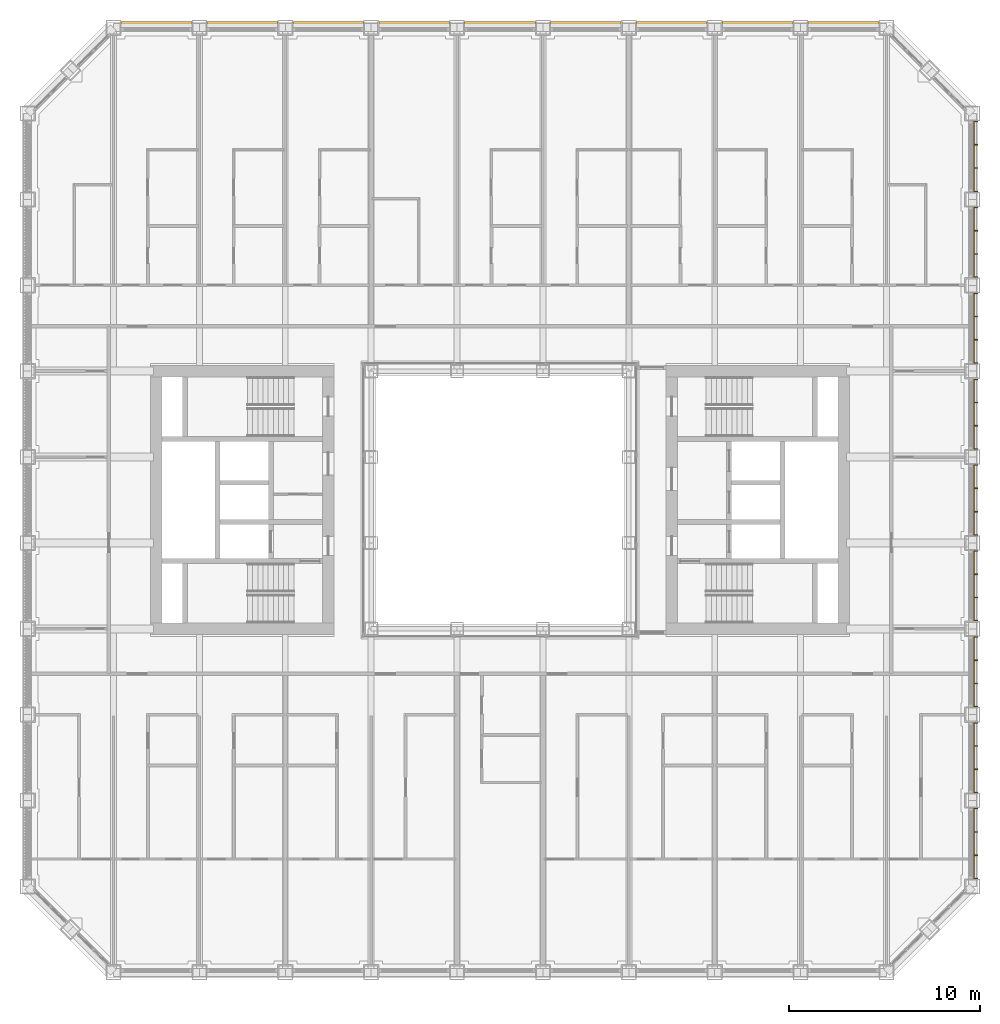
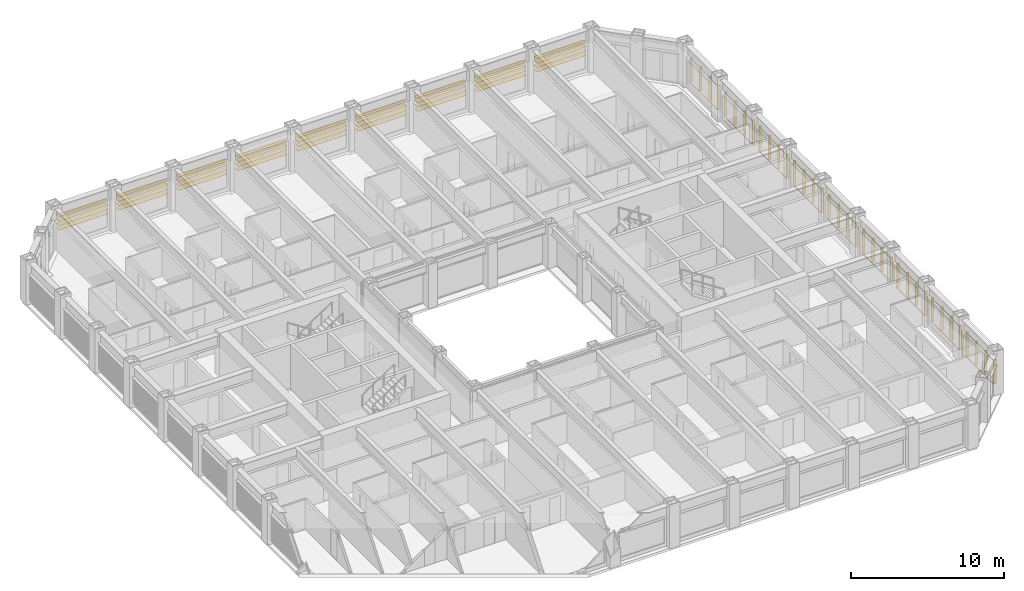
# One storey, part 21 of 21: 2 shading devices.
"""IFC4 building model written with IfcOpenShell, lengths in metres."""

from ifc_helpers import new_model, si_unit, direction, frame, origin, origin_2d, place, context, subcontext, project, spatial, rectangle, extrude, material, type_object, element, save


model = new_model("IFC4")

# Units and contexts
model_context = context("Model", 3, precision=1e-05, world=origin(), true_north=direction((0.0, 1.0)))
body_context = subcontext(model_context, "Body", "Model", "MODEL_VIEW")
ifc_project = project(units=[si_unit("LENGTHUNIT", "METRE"), si_unit("AREAUNIT", "SQUARE_METRE"), si_unit("VOLUMEUNIT", "CUBIC_METRE"), si_unit("PLANEANGLEUNIT", "RADIAN"), si_unit("MASSUNIT", "GRAM", prefix="KILO")], contexts=[model_context])

# Site, building, storey
site_placement = place(None, origin())
site = spatial("IfcSite", under=ifc_project, at=site_placement, CompositionType="ELEMENT")
building_placement = place(site_placement, origin())
building = spatial("IfcBuilding", under=site, at=building_placement, Name="Msasa Ring Tower", CompositionType="ELEMENT")
storey_placement = place(building_placement, frame((0.0, 0.0, 72.0)))
storey = spatial("IfcBuildingStorey", under=building, at=storey_placement, Name="L18", CompositionType="ELEMENT", Elevation=72.0)

# Shading devices
ifc_material_1 = material(Name="Extruded terracotta on aluminium carriers", Category="masonry")
shading_device_type_1 = type_object("IfcShadingDeviceType", Name="BS2 TERRACOTTA FIN SCREEN 40x200 AT 1350", PredefinedType="USERDEFINED", material=ifc_material_1)
shading_device_1_placement = place(storey_placement, origin())
element("IfcShadingDevice", 1, at=shading_device_1_placement, inside=storey, type_object=shading_device_type_1, Name="Terracotta fin screen E L18", ObjectType="BAGUETTE", PredefinedType="USERDEFINED", context=body_context, shape_type="SweptSolid", body=[
    extrude(rectangle(XDim=0.06005859375, YDim=0.0400390625, at=origin_2d()), frame((24.830078125, -19.85009765625, 0.330078125), z_axis=(0.0, 1.0, 0.0), x_axis=(0.0, 0.0, 1.0)), (0.0, 0.0, 1.0), 3.699951171875),
    extrude(rectangle(XDim=0.06005859375, YDim=0.0400390625, at=origin_2d()), frame((24.830078125, -19.85009765625, 2.198974609375), z_axis=(0.0, 1.0, 0.0), x_axis=(0.0, 0.0, 1.0)), (0.0, 0.0, 1.0), 3.699951171875),
    extrude(rectangle(XDim=0.0400390625, YDim=0.199951171875, at=origin_2d()), frame((24.945068359375, -19.830078125, 0.300048828125), z_axis=(0.0, 0.0, 1.0), x_axis=(0.0, 1.0, 0.0)), (0.0, 0.0, 1.0), 1.928955078125),
    extrude(rectangle(XDim=0.0400390625, YDim=0.199951171875, at=origin_2d()), frame((24.945068359375, -18.610107421875, 0.300048828125), z_axis=(0.0, 0.0, 1.0), x_axis=(0.0, 1.0, 0.0)), (0.0, 0.0, 1.0), 1.928955078125),
    extrude(rectangle(XDim=0.0400390625, YDim=0.199951171875, at=origin_2d()), frame((24.945068359375, -17.389892578125, 0.300048828125), z_axis=(0.0, 0.0, 1.0), x_axis=(0.0, 1.0, 0.0)), (0.0, 0.0, 1.0), 1.928955078125),
    extrude(rectangle(XDim=0.0400390625, YDim=0.199951171875, at=origin_2d()), frame((24.945068359375, -16.169921875, 0.300048828125), z_axis=(0.0, 0.0, 1.0), x_axis=(0.0, 1.0, 0.0)), (0.0, 0.0, 1.0), 1.928955078125),
    extrude(rectangle(XDim=0.06005859375, YDim=0.0400390625, at=origin_2d()), frame((24.830078125, -15.35009765625, 0.330078125), z_axis=(0.0, 1.0, 0.0), x_axis=(0.0, 0.0, 1.0)), (0.0, 0.0, 1.0), 3.699951171875),
    extrude(rectangle(XDim=0.06005859375, YDim=0.0400390625, at=origin_2d()), frame((24.830078125, -15.35009765625, 2.198974609375), z_axis=(0.0, 1.0, 0.0), x_axis=(0.0, 0.0, 1.0)), (0.0, 0.0, 1.0), 3.699951171875),
    extrude(rectangle(XDim=0.0400390625, YDim=0.199951171875, at=origin_2d()), frame((24.945068359375, -15.330078125, 0.300048828125), z_axis=(0.0, 0.0, 1.0), x_axis=(0.0, 1.0, 0.0)), (0.0, 0.0, 1.0), 1.928955078125),
    extrude(rectangle(XDim=0.0400390625, YDim=0.199951171875, at=origin_2d()), frame((24.945068359375, -14.110107421875, 0.300048828125), z_axis=(0.0, 0.0, 1.0), x_axis=(0.0, 1.0, 0.0)), (0.0, 0.0, 1.0), 1.928955078125),
    extrude(rectangle(XDim=0.0400390625, YDim=0.199951171875, at=origin_2d()), frame((24.945068359375, -12.889892578125, 0.300048828125), z_axis=(0.0, 0.0, 1.0), x_axis=(0.0, 1.0, 0.0)), (0.0, 0.0, 1.0), 1.928955078125),
    extrude(rectangle(XDim=0.0400390625, YDim=0.199951171875, at=origin_2d()), frame((24.945068359375, -11.669921875, 0.300048828125), z_axis=(0.0, 0.0, 1.0), x_axis=(0.0, 1.0, 0.0)), (0.0, 0.0, 1.0), 1.928955078125),
    extrude(rectangle(XDim=0.06005859375, YDim=0.0400390625, at=origin_2d()), frame((24.830078125, -10.85009765625, 0.330078125), z_axis=(0.0, 1.0, 0.0), x_axis=(0.0, 0.0, 1.0)), (0.0, 0.0, 1.0), 3.699951171875),
    extrude(rectangle(XDim=0.06005859375, YDim=0.0400390625, at=origin_2d()), frame((24.830078125, -10.85009765625, 2.198974609375), z_axis=(0.0, 1.0, 0.0), x_axis=(0.0, 0.0, 1.0)), (0.0, 0.0, 1.0), 3.699951171875),
    extrude(rectangle(XDim=0.0400390625, YDim=0.199951171875, at=origin_2d()), frame((24.945068359375, -10.830078125, 0.300048828125), z_axis=(0.0, 0.0, 1.0), x_axis=(0.0, 1.0, 0.0)), (0.0, 0.0, 1.0), 1.928955078125),
    extrude(rectangle(XDim=0.0400390625, YDim=0.199951171875, at=origin_2d()), frame((24.945068359375, -9.610107421875, 0.300048828125), z_axis=(0.0, 0.0, 1.0), x_axis=(0.0, 1.0, 0.0)), (0.0, 0.0, 1.0), 1.928955078125),
    extrude(rectangle(XDim=0.0400390625, YDim=0.199951171875, at=origin_2d()), frame((24.945068359375, -8.389892578125, 0.300048828125), z_axis=(0.0, 0.0, 1.0), x_axis=(0.0, 1.0, 0.0)), (0.0, 0.0, 1.0), 1.928955078125),
    extrude(rectangle(XDim=0.0400390625, YDim=0.199951171875, at=origin_2d()), frame((24.945068359375, -7.169921875, 0.300048828125), z_axis=(0.0, 0.0, 1.0), x_axis=(0.0, 1.0, 0.0)), (0.0, 0.0, 1.0), 1.928955078125),
    extrude(rectangle(XDim=0.06005859375, YDim=0.0400390625, at=origin_2d()), frame((24.830078125, -6.35009765625, 0.330078125), z_axis=(0.0, 1.0, 0.0), x_axis=(0.0, 0.0, 1.0)), (0.0, 0.0, 1.0), 3.699951171875),
    extrude(rectangle(XDim=0.06005859375, YDim=0.0400390625, at=origin_2d()), frame((24.830078125, -6.35009765625, 2.198974609375), z_axis=(0.0, 1.0, 0.0), x_axis=(0.0, 0.0, 1.0)), (0.0, 0.0, 1.0), 3.699951171875),
    extrude(rectangle(XDim=0.0400390625, YDim=0.199951171875, at=origin_2d()), frame((24.945068359375, -6.330078125, 0.300048828125), z_axis=(0.0, 0.0, 1.0), x_axis=(0.0, 1.0, 0.0)), (0.0, 0.0, 1.0), 1.928955078125),
    extrude(rectangle(XDim=0.0400390625, YDim=0.199951171875, at=origin_2d()), frame((24.945068359375, -5.110107421875, 0.300048828125), z_axis=(0.0, 0.0, 1.0), x_axis=(0.0, 1.0, 0.0)), (0.0, 0.0, 1.0), 1.928955078125),
    extrude(rectangle(XDim=0.0400390625, YDim=0.199951171875, at=origin_2d()), frame((24.945068359375, -3.889892578125, 0.300048828125), z_axis=(0.0, 0.0, 1.0), x_axis=(0.0, 1.0, 0.0)), (0.0, 0.0, 1.0), 1.928955078125),
    extrude(rectangle(XDim=0.0400390625, YDim=0.199951171875, at=origin_2d()), frame((24.945068359375, -2.669921875, 0.300048828125), z_axis=(0.0, 0.0, 1.0), x_axis=(0.0, 1.0, 0.0)), (0.0, 0.0, 1.0), 1.928955078125),
    extrude(rectangle(XDim=0.06005859375, YDim=0.0400390625, at=origin_2d()), frame((24.830078125, -1.85009765625, 0.330078125), z_axis=(0.0, 1.0, 0.0), x_axis=(0.0, 0.0, 1.0)), (0.0, 0.0, 1.0), 3.699951171875),
    extrude(rectangle(XDim=0.06005859375, YDim=0.0400390625, at=origin_2d()), frame((24.830078125, -1.85009765625, 2.198974609375), z_axis=(0.0, 1.0, 0.0), x_axis=(0.0, 0.0, 1.0)), (0.0, 0.0, 1.0), 3.699951171875),
    extrude(rectangle(XDim=0.0400390625, YDim=0.199951171875, at=origin_2d()), frame((24.945068359375, -1.830078125, 0.300048828125), z_axis=(0.0, 0.0, 1.0), x_axis=(0.0, 1.0, 0.0)), (0.0, 0.0, 1.0), 1.928955078125),
    extrude(rectangle(XDim=0.0400390625, YDim=0.199951171875, at=origin_2d()), frame((24.945068359375, -0.610107421875, 0.300048828125), z_axis=(0.0, 0.0, 1.0), x_axis=(0.0, 1.0, 0.0)), (0.0, 0.0, 1.0), 1.928955078125),
    extrude(rectangle(XDim=0.0400390625, YDim=0.199951171875, at=origin_2d()), frame((24.945068359375, 0.610107421875, 0.300048828125), z_axis=(0.0, 0.0, 1.0), x_axis=(0.0, 1.0, 0.0)), (0.0, 0.0, 1.0), 1.928955078125),
    extrude(rectangle(XDim=0.0400390625, YDim=0.199951171875, at=origin_2d()), frame((24.945068359375, 1.830078125, 0.300048828125), z_axis=(0.0, 0.0, 1.0), x_axis=(0.0, 1.0, 0.0)), (0.0, 0.0, 1.0), 1.928955078125),
    extrude(rectangle(XDim=0.06005859375, YDim=0.0400390625, at=origin_2d()), frame((24.830078125, 2.64990234375, 0.330078125), z_axis=(0.0, 1.0, 0.0), x_axis=(0.0, 0.0, 1.0)), (0.0, 0.0, 1.0), 3.699951171875),
    extrude(rectangle(XDim=0.06005859375, YDim=0.0400390625, at=origin_2d()), frame((24.830078125, 2.64990234375, 2.198974609375), z_axis=(0.0, 1.0, 0.0), x_axis=(0.0, 0.0, 1.0)), (0.0, 0.0, 1.0), 3.699951171875),
    extrude(rectangle(XDim=0.0400390625, YDim=0.199951171875, at=origin_2d()), frame((24.945068359375, 2.669921875, 0.300048828125), z_axis=(0.0, 0.0, 1.0), x_axis=(0.0, 1.0, 0.0)), (0.0, 0.0, 1.0), 1.928955078125),
    extrude(rectangle(XDim=0.0400390625, YDim=0.199951171875, at=origin_2d()), frame((24.945068359375, 3.889892578125, 0.300048828125), z_axis=(0.0, 0.0, 1.0), x_axis=(0.0, 1.0, 0.0)), (0.0, 0.0, 1.0), 1.928955078125),
    extrude(rectangle(XDim=0.0400390625, YDim=0.199951171875, at=origin_2d()), frame((24.945068359375, 5.110107421875, 0.300048828125), z_axis=(0.0, 0.0, 1.0), x_axis=(0.0, 1.0, 0.0)), (0.0, 0.0, 1.0), 1.928955078125),
    extrude(rectangle(XDim=0.0400390625, YDim=0.199951171875, at=origin_2d()), frame((24.945068359375, 6.330078125, 0.300048828125), z_axis=(0.0, 0.0, 1.0), x_axis=(0.0, 1.0, 0.0)), (0.0, 0.0, 1.0), 1.928955078125),
    extrude(rectangle(XDim=0.06005859375, YDim=0.0400390625, at=origin_2d()), frame((24.830078125, 7.14990234375, 0.330078125), z_axis=(0.0, 1.0, 0.0), x_axis=(0.0, 0.0, 1.0)), (0.0, 0.0, 1.0), 3.699951171875),
    extrude(rectangle(XDim=0.06005859375, YDim=0.0400390625, at=origin_2d()), frame((24.830078125, 7.14990234375, 2.198974609375), z_axis=(0.0, 1.0, 0.0), x_axis=(0.0, 0.0, 1.0)), (0.0, 0.0, 1.0), 3.699951171875),
    extrude(rectangle(XDim=0.0400390625, YDim=0.199951171875, at=origin_2d()), frame((24.945068359375, 7.169921875, 0.300048828125), z_axis=(0.0, 0.0, 1.0), x_axis=(0.0, 1.0, 0.0)), (0.0, 0.0, 1.0), 1.928955078125),
    extrude(rectangle(XDim=0.0400390625, YDim=0.199951171875, at=origin_2d()), frame((24.945068359375, 8.389892578125, 0.300048828125), z_axis=(0.0, 0.0, 1.0), x_axis=(0.0, 1.0, 0.0)), (0.0, 0.0, 1.0), 1.928955078125),
    extrude(rectangle(XDim=0.0400390625, YDim=0.199951171875, at=origin_2d()), frame((24.945068359375, 9.610107421875, 0.300048828125), z_axis=(0.0, 0.0, 1.0), x_axis=(0.0, 1.0, 0.0)), (0.0, 0.0, 1.0), 1.928955078125),
    extrude(rectangle(XDim=0.0400390625, YDim=0.199951171875, at=origin_2d()), frame((24.945068359375, 10.830078125, 0.300048828125), z_axis=(0.0, 0.0, 1.0), x_axis=(0.0, 1.0, 0.0)), (0.0, 0.0, 1.0), 1.928955078125),
    extrude(rectangle(XDim=0.06005859375, YDim=0.0400390625, at=origin_2d()), frame((24.830078125, 11.64990234375, 0.330078125), z_axis=(0.0, 1.0, 0.0), x_axis=(0.0, 0.0, 1.0)), (0.0, 0.0, 1.0), 3.699951171875),
    extrude(rectangle(XDim=0.06005859375, YDim=0.0400390625, at=origin_2d()), frame((24.830078125, 11.64990234375, 2.198974609375), z_axis=(0.0, 1.0, 0.0), x_axis=(0.0, 0.0, 1.0)), (0.0, 0.0, 1.0), 3.699951171875),
    extrude(rectangle(XDim=0.0400390625, YDim=0.199951171875, at=origin_2d()), frame((24.945068359375, 11.669921875, 0.300048828125), z_axis=(0.0, 0.0, 1.0), x_axis=(0.0, 1.0, 0.0)), (0.0, 0.0, 1.0), 1.928955078125),
    extrude(rectangle(XDim=0.0400390625, YDim=0.199951171875, at=origin_2d()), frame((24.945068359375, 12.889892578125, 0.300048828125), z_axis=(0.0, 0.0, 1.0), x_axis=(0.0, 1.0, 0.0)), (0.0, 0.0, 1.0), 1.928955078125),
    extrude(rectangle(XDim=0.0400390625, YDim=0.199951171875, at=origin_2d()), frame((24.945068359375, 14.110107421875, 0.300048828125), z_axis=(0.0, 0.0, 1.0), x_axis=(0.0, 1.0, 0.0)), (0.0, 0.0, 1.0), 1.928955078125),
    extrude(rectangle(XDim=0.0400390625, YDim=0.199951171875, at=origin_2d()), frame((24.945068359375, 15.330078125, 0.300048828125), z_axis=(0.0, 0.0, 1.0), x_axis=(0.0, 1.0, 0.0)), (0.0, 0.0, 1.0), 1.928955078125),
    extrude(rectangle(XDim=0.06005859375, YDim=0.0400390625, at=origin_2d()), frame((24.830078125, 16.14990234375, 0.330078125), z_axis=(0.0, 1.0, 0.0), x_axis=(0.0, 0.0, 1.0)), (0.0, 0.0, 1.0), 3.699951171875),
    extrude(rectangle(XDim=0.06005859375, YDim=0.0400390625, at=origin_2d()), frame((24.830078125, 16.14990234375, 2.198974609375), z_axis=(0.0, 1.0, 0.0), x_axis=(0.0, 0.0, 1.0)), (0.0, 0.0, 1.0), 3.699951171875),
    extrude(rectangle(XDim=0.0400390625, YDim=0.199951171875, at=origin_2d()), frame((24.945068359375, 16.169921875, 0.300048828125), z_axis=(0.0, 0.0, 1.0), x_axis=(0.0, 1.0, 0.0)), (0.0, 0.0, 1.0), 1.928955078125),
    extrude(rectangle(XDim=0.0400390625, YDim=0.199951171875, at=origin_2d()), frame((24.945068359375, 17.389892578125, 0.300048828125), z_axis=(0.0, 0.0, 1.0), x_axis=(0.0, 1.0, 0.0)), (0.0, 0.0, 1.0), 1.928955078125),
    extrude(rectangle(XDim=0.0400390625, YDim=0.199951171875, at=origin_2d()), frame((24.945068359375, 18.610107421875, 0.300048828125), z_axis=(0.0, 0.0, 1.0), x_axis=(0.0, 1.0, 0.0)), (0.0, 0.0, 1.0), 1.928955078125),
    extrude(rectangle(XDim=0.0400390625, YDim=0.199951171875, at=origin_2d()), frame((24.945068359375, 19.830078125, 0.300048828125), z_axis=(0.0, 0.0, 1.0), x_axis=(0.0, 1.0, 0.0)), (0.0, 0.0, 1.0), 1.928955078125),
])
ifc_material_2 = material(Name="Extruded terracotta blades", Category="masonry")
shading_device_type_2 = type_object("IfcShadingDeviceType", Name="SS1 TERRACOTTA SUNSHADE 4 BLADES 300x40 AT 350", PredefinedType="USERDEFINED", material=ifc_material_2)
shading_device_2_placement = place(storey_placement, origin())
element("IfcShadingDevice", 2, at=shading_device_2_placement, inside=storey, type_object=shading_device_type_2, Name="Terracotta sunshade N L18", ObjectType="SUNSHADE", PredefinedType="USERDEFINED", context=body_context, shape_type="SweptSolid", body=[
    extrude(rectangle(XDim=0.0400390625, YDim=0.300048828125, at=origin_2d()), frame((-19.85009765625, 24.929931640625, 2.208984375), z_axis=(1.0, 0.0, 0.0), x_axis=(0.0, 0.0, 1.0)), (0.0, 0.0, 1.0), 3.699951171875),
    extrude(rectangle(XDim=0.0400390625, YDim=0.300048828125, at=origin_2d()), frame((-19.85009765625, 24.929931640625, 1.85888671875), z_axis=(1.0, 0.0, 0.0), x_axis=(0.0, 0.0, 1.0)), (0.0, 0.0, 1.0), 3.699951171875),
    extrude(rectangle(XDim=0.0400390625, YDim=0.300048828125, at=origin_2d()), frame((-19.85009765625, 24.929931640625, 1.509033203125), z_axis=(1.0, 0.0, 0.0), x_axis=(0.0, 0.0, 1.0)), (0.0, 0.0, 1.0), 3.699951171875),
    extrude(rectangle(XDim=0.0400390625, YDim=0.300048828125, at=origin_2d()), frame((-19.85009765625, 24.929931640625, 1.158935546875), z_axis=(1.0, 0.0, 0.0), x_axis=(0.0, 0.0, 1.0)), (0.0, 0.0, 1.0), 3.699951171875),
    extrude(rectangle(XDim=0.0400390625, YDim=0.300048828125, at=origin_2d()), frame((-15.35009765625, 24.929931640625, 2.208984375), z_axis=(1.0, 0.0, 0.0), x_axis=(0.0, 0.0, 1.0)), (0.0, 0.0, 1.0), 3.699951171875),
    extrude(rectangle(XDim=0.0400390625, YDim=0.300048828125, at=origin_2d()), frame((-15.35009765625, 24.929931640625, 1.85888671875), z_axis=(1.0, 0.0, 0.0), x_axis=(0.0, 0.0, 1.0)), (0.0, 0.0, 1.0), 3.699951171875),
    extrude(rectangle(XDim=0.0400390625, YDim=0.300048828125, at=origin_2d()), frame((-15.35009765625, 24.929931640625, 1.509033203125), z_axis=(1.0, 0.0, 0.0), x_axis=(0.0, 0.0, 1.0)), (0.0, 0.0, 1.0), 3.699951171875),
    extrude(rectangle(XDim=0.0400390625, YDim=0.300048828125, at=origin_2d()), frame((-15.35009765625, 24.929931640625, 1.158935546875), z_axis=(1.0, 0.0, 0.0), x_axis=(0.0, 0.0, 1.0)), (0.0, 0.0, 1.0), 3.699951171875),
    extrude(rectangle(XDim=0.0400390625, YDim=0.300048828125, at=origin_2d()), frame((-10.85009765625, 24.929931640625, 2.208984375), z_axis=(1.0, 0.0, 0.0), x_axis=(0.0, 0.0, 1.0)), (0.0, 0.0, 1.0), 3.699951171875),
    extrude(rectangle(XDim=0.0400390625, YDim=0.300048828125, at=origin_2d()), frame((-10.85009765625, 24.929931640625, 1.85888671875), z_axis=(1.0, 0.0, 0.0), x_axis=(0.0, 0.0, 1.0)), (0.0, 0.0, 1.0), 3.699951171875),
    extrude(rectangle(XDim=0.0400390625, YDim=0.300048828125, at=origin_2d()), frame((-10.85009765625, 24.929931640625, 1.509033203125), z_axis=(1.0, 0.0, 0.0), x_axis=(0.0, 0.0, 1.0)), (0.0, 0.0, 1.0), 3.699951171875),
    extrude(rectangle(XDim=0.0400390625, YDim=0.300048828125, at=origin_2d()), frame((-10.85009765625, 24.929931640625, 1.158935546875), z_axis=(1.0, 0.0, 0.0), x_axis=(0.0, 0.0, 1.0)), (0.0, 0.0, 1.0), 3.699951171875),
    extrude(rectangle(XDim=0.0400390625, YDim=0.300048828125, at=origin_2d()), frame((-6.35009765625, 24.929931640625, 2.208984375), z_axis=(1.0, 0.0, 0.0), x_axis=(0.0, 0.0, 1.0)), (0.0, 0.0, 1.0), 3.699951171875),
    extrude(rectangle(XDim=0.0400390625, YDim=0.300048828125, at=origin_2d()), frame((-6.35009765625, 24.929931640625, 1.85888671875), z_axis=(1.0, 0.0, 0.0), x_axis=(0.0, 0.0, 1.0)), (0.0, 0.0, 1.0), 3.699951171875),
    extrude(rectangle(XDim=0.0400390625, YDim=0.300048828125, at=origin_2d()), frame((-6.35009765625, 24.929931640625, 1.509033203125), z_axis=(1.0, 0.0, 0.0), x_axis=(0.0, 0.0, 1.0)), (0.0, 0.0, 1.0), 3.699951171875),
    extrude(rectangle(XDim=0.0400390625, YDim=0.300048828125, at=origin_2d()), frame((-6.35009765625, 24.929931640625, 1.158935546875), z_axis=(1.0, 0.0, 0.0), x_axis=(0.0, 0.0, 1.0)), (0.0, 0.0, 1.0), 3.699951171875),
    extrude(rectangle(XDim=0.0400390625, YDim=0.300048828125, at=origin_2d()), frame((-1.85009765625, 24.929931640625, 2.208984375), z_axis=(1.0, 0.0, 0.0), x_axis=(0.0, 0.0, 1.0)), (0.0, 0.0, 1.0), 3.699951171875),
    extrude(rectangle(XDim=0.0400390625, YDim=0.300048828125, at=origin_2d()), frame((-1.85009765625, 24.929931640625, 1.85888671875), z_axis=(1.0, 0.0, 0.0), x_axis=(0.0, 0.0, 1.0)), (0.0, 0.0, 1.0), 3.699951171875),
    extrude(rectangle(XDim=0.0400390625, YDim=0.300048828125, at=origin_2d()), frame((-1.85009765625, 24.929931640625, 1.509033203125), z_axis=(1.0, 0.0, 0.0), x_axis=(0.0, 0.0, 1.0)), (0.0, 0.0, 1.0), 3.699951171875),
    extrude(rectangle(XDim=0.0400390625, YDim=0.300048828125, at=origin_2d()), frame((-1.85009765625, 24.929931640625, 1.158935546875), z_axis=(1.0, 0.0, 0.0), x_axis=(0.0, 0.0, 1.0)), (0.0, 0.0, 1.0), 3.699951171875),
    extrude(rectangle(XDim=0.0400390625, YDim=0.300048828125, at=origin_2d()), frame((2.64990234375, 24.929931640625, 2.208984375), z_axis=(1.0, 0.0, 0.0), x_axis=(0.0, 0.0, 1.0)), (0.0, 0.0, 1.0), 3.699951171875),
    extrude(rectangle(XDim=0.0400390625, YDim=0.300048828125, at=origin_2d()), frame((2.64990234375, 24.929931640625, 1.85888671875), z_axis=(1.0, 0.0, 0.0), x_axis=(0.0, 0.0, 1.0)), (0.0, 0.0, 1.0), 3.699951171875),
    extrude(rectangle(XDim=0.0400390625, YDim=0.300048828125, at=origin_2d()), frame((2.64990234375, 24.929931640625, 1.509033203125), z_axis=(1.0, 0.0, 0.0), x_axis=(0.0, 0.0, 1.0)), (0.0, 0.0, 1.0), 3.699951171875),
    extrude(rectangle(XDim=0.0400390625, YDim=0.300048828125, at=origin_2d()), frame((2.64990234375, 24.929931640625, 1.158935546875), z_axis=(1.0, 0.0, 0.0), x_axis=(0.0, 0.0, 1.0)), (0.0, 0.0, 1.0), 3.699951171875),
    extrude(rectangle(XDim=0.0400390625, YDim=0.300048828125, at=origin_2d()), frame((7.14990234375, 24.929931640625, 2.208984375), z_axis=(1.0, 0.0, 0.0), x_axis=(0.0, 0.0, 1.0)), (0.0, 0.0, 1.0), 3.699951171875),
    extrude(rectangle(XDim=0.0400390625, YDim=0.300048828125, at=origin_2d()), frame((7.14990234375, 24.929931640625, 1.85888671875), z_axis=(1.0, 0.0, 0.0), x_axis=(0.0, 0.0, 1.0)), (0.0, 0.0, 1.0), 3.699951171875),
    extrude(rectangle(XDim=0.0400390625, YDim=0.300048828125, at=origin_2d()), frame((7.14990234375, 24.929931640625, 1.509033203125), z_axis=(1.0, 0.0, 0.0), x_axis=(0.0, 0.0, 1.0)), (0.0, 0.0, 1.0), 3.699951171875),
    extrude(rectangle(XDim=0.0400390625, YDim=0.300048828125, at=origin_2d()), frame((7.14990234375, 24.929931640625, 1.158935546875), z_axis=(1.0, 0.0, 0.0), x_axis=(0.0, 0.0, 1.0)), (0.0, 0.0, 1.0), 3.699951171875),
    extrude(rectangle(XDim=0.0400390625, YDim=0.300048828125, at=origin_2d()), frame((11.64990234375, 24.929931640625, 2.208984375), z_axis=(1.0, 0.0, 0.0), x_axis=(0.0, 0.0, 1.0)), (0.0, 0.0, 1.0), 3.699951171875),
    extrude(rectangle(XDim=0.0400390625, YDim=0.300048828125, at=origin_2d()), frame((11.64990234375, 24.929931640625, 1.85888671875), z_axis=(1.0, 0.0, 0.0), x_axis=(0.0, 0.0, 1.0)), (0.0, 0.0, 1.0), 3.699951171875),
    extrude(rectangle(XDim=0.0400390625, YDim=0.300048828125, at=origin_2d()), frame((11.64990234375, 24.929931640625, 1.509033203125), z_axis=(1.0, 0.0, 0.0), x_axis=(0.0, 0.0, 1.0)), (0.0, 0.0, 1.0), 3.699951171875),
    extrude(rectangle(XDim=0.0400390625, YDim=0.300048828125, at=origin_2d()), frame((11.64990234375, 24.929931640625, 1.158935546875), z_axis=(1.0, 0.0, 0.0), x_axis=(0.0, 0.0, 1.0)), (0.0, 0.0, 1.0), 3.699951171875),
    extrude(rectangle(XDim=0.0400390625, YDim=0.300048828125, at=origin_2d()), frame((16.14990234375, 24.929931640625, 2.208984375), z_axis=(1.0, 0.0, 0.0), x_axis=(0.0, 0.0, 1.0)), (0.0, 0.0, 1.0), 3.699951171875),
    extrude(rectangle(XDim=0.0400390625, YDim=0.300048828125, at=origin_2d()), frame((16.14990234375, 24.929931640625, 1.85888671875), z_axis=(1.0, 0.0, 0.0), x_axis=(0.0, 0.0, 1.0)), (0.0, 0.0, 1.0), 3.699951171875),
    extrude(rectangle(XDim=0.0400390625, YDim=0.300048828125, at=origin_2d()), frame((16.14990234375, 24.929931640625, 1.509033203125), z_axis=(1.0, 0.0, 0.0), x_axis=(0.0, 0.0, 1.0)), (0.0, 0.0, 1.0), 3.699951171875),
    extrude(rectangle(XDim=0.0400390625, YDim=0.300048828125, at=origin_2d()), frame((16.14990234375, 24.929931640625, 1.158935546875), z_axis=(1.0, 0.0, 0.0), x_axis=(0.0, 0.0, 1.0)), (0.0, 0.0, 1.0), 3.699951171875),
])

save(model, "model.ifc")
